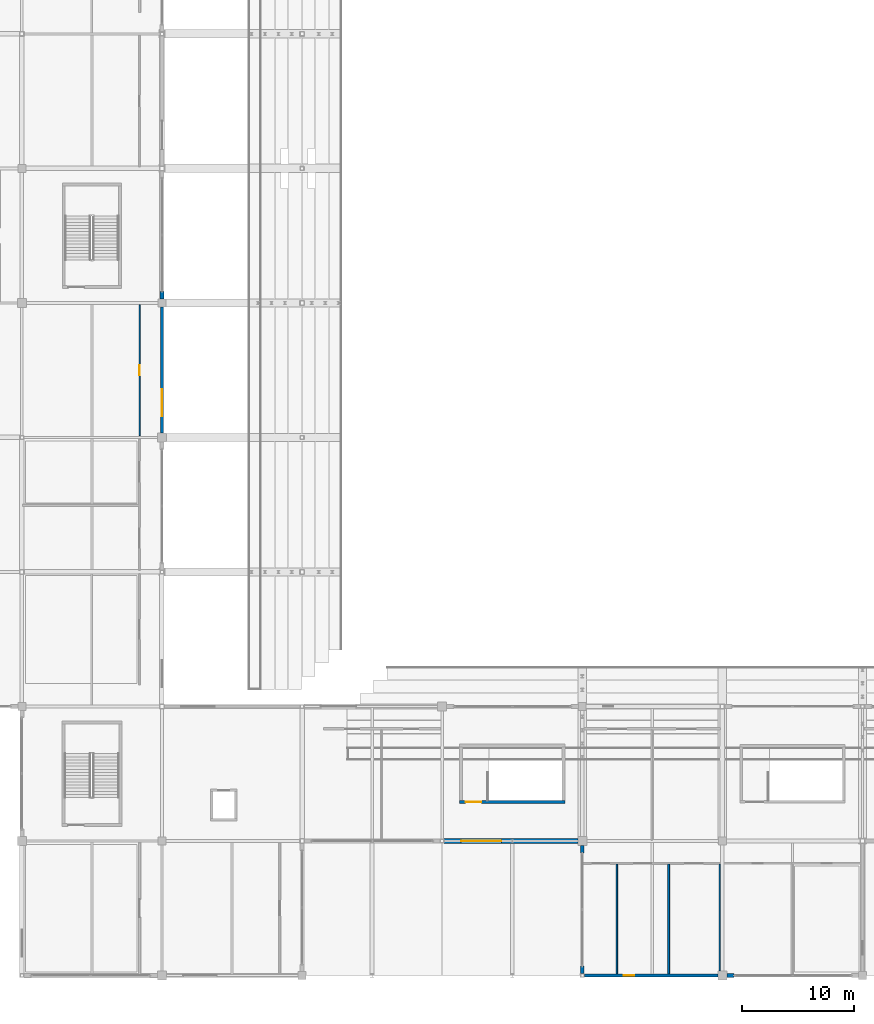
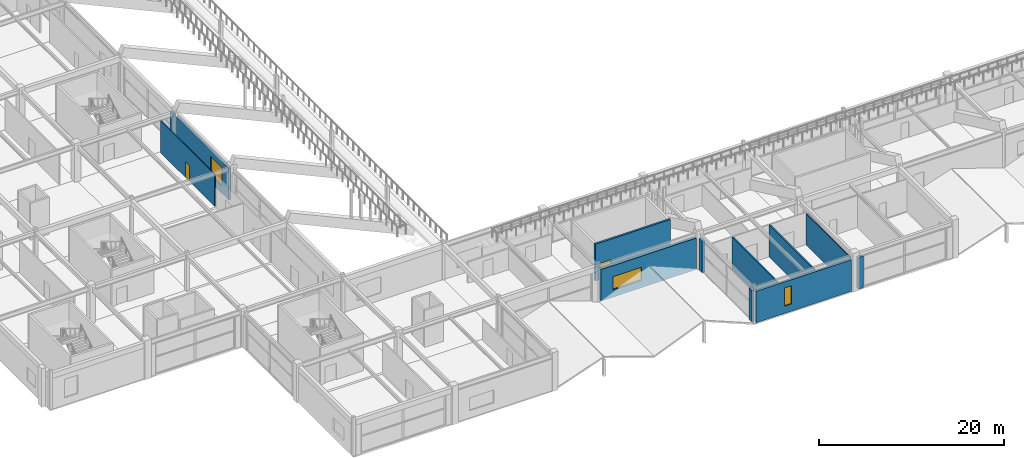
# One storey, part 86 of 128: 12 walls, 3 windows, 2 doors, 5 openings.
"""IFC4 building model written with IfcOpenShell, lengths in metres."""

import ifcopenshell
import ifcopenshell.guid

model = None  # the IFC model being written
_history = None  # IfcOwnerHistory: only IFC2X3 demands one
_inside = {}  # id of a spatial element -> (the spatial element, [elements in it])
_under = {}  # id of a project, library or spatial element -> (it, [spatial elements below it])
_declared = {}  # id of a project -> (the project, [libraries it declares])
_typed = {}  # id of a type object -> (the type object, [elements of that type])
_made_of = {}  # id of a material, layer set ... -> (it, [elements and type objects made of it])


def new_model(schema):
    """Start an empty IFC model of exactly this schema.

    Asked for "IFC4X3", IfcOpenShell would pick the latest addendum, in which some entities
    have other attributes; the version numbers below select the first issue.
    IFC2X3 requires an IfcOwnerHistory on every rooted entity: one is made here for all.
    """
    global model, _history
    if schema == "IFC4X3":
        model = ifcopenshell.file(schema_version=(4, 3, 0, 0))
    else:
        model = ifcopenshell.file(schema=schema)
    _inside.clear()
    _under.clear()
    _declared.clear()
    _typed.clear()
    _made_of.clear()
    _history = None
    if model.schema == "IFC2X3":
        org = make("IfcOrganization", Name="unknown")
        user = make(
            "IfcPersonAndOrganization",
            ThePerson=make("IfcPerson", FamilyName="unknown"),
            TheOrganization=org,
        )
        app = make(
            "IfcApplication",
            ApplicationDeveloper=org,
            Version="unknown",
            ApplicationFullName="unknown",
            ApplicationIdentifier="unknown",
        )
        _history = make(
            "IfcOwnerHistory",
            OwningUser=user,
            OwningApplication=app,
            ChangeAction="ADDED",
            CreationDate=0,
        )
    return model


def make(cls, **values):
    """One entity of the class cls with the attributes given. An attribute that is None is left unset."""
    return model.create_entity(
        cls, **{name: value for name, value in values.items() if value is not None}
    )


def rooted(cls, **values):
    """An entity with a GlobalId (a new one), such as an element, a storey or a relation."""
    return make(cls, GlobalId=ifcopenshell.guid.new(), OwnerHistory=_history, **values)


def si_unit(unit_type, name, prefix=None):
    """IfcSIUnit, for example si_unit("LENGTHUNIT", "METRE", prefix="MILLI")."""
    return make("IfcSIUnit", UnitType=unit_type, Prefix=prefix, Name=name)


def assignment(units):
    """IfcUnitAssignment: the units of a project."""
    return None if units is None else make("IfcUnitAssignment", Units=units)


def point(xyz):
    """IfcCartesianPoint."""
    return None if xyz is None else make("IfcCartesianPoint", Coordinates=xyz)


def direction(xyz):
    """IfcDirection."""
    return None if xyz is None else make("IfcDirection", DirectionRatios=xyz)


def frame(location, z_axis=None, x_axis=None):
    """IfcAxis2Placement3D, a coordinate frame: its origin and axes. An axis left out is left unset."""
    return make(
        "IfcAxis2Placement3D",
        Location=point(location),
        Axis=direction(z_axis),
        RefDirection=direction(x_axis),
    )


def frame_2d(location, x_axis=None):
    """IfcAxis2Placement2D, a coordinate frame in the plane: its origin and x axis."""
    return make(
        "IfcAxis2Placement2D", Location=point(location), RefDirection=direction(x_axis)
    )


def origin():
    """The frame at (0, 0, 0) with its axes left unset."""
    return frame((0.0, 0.0, 0.0))


def place(relative_to, where):
    """IfcLocalPlacement: puts the frame where relative to a parent placement (None: the world)."""
    return make(
        "IfcLocalPlacement", PlacementRelTo=relative_to, RelativePlacement=where
    )


def context(
    kind, dimensions, precision=None, world=None, true_north=None, identifier=None
):
    """IfcGeometricRepresentationContext, for example the 3D "Model" context."""
    return make(
        "IfcGeometricRepresentationContext",
        ContextIdentifier=identifier,
        ContextType=kind,
        CoordinateSpaceDimension=dimensions,
        Precision=precision,
        WorldCoordinateSystem=world,
        TrueNorth=true_north,
    )


def subcontext(parent, identifier, kind, view, scale=None):
    """IfcGeometricRepresentationSubContext, for example "Body" below "Model"."""
    return make(
        "IfcGeometricRepresentationSubContext",
        ContextIdentifier=identifier,
        ContextType=kind,
        ParentContext=parent,
        TargetScale=scale,
        TargetView=view,
    )


def project(units=None, contexts=None):
    """IfcProject with its units and contexts."""
    return rooted(
        "IfcProject",
        Name="project",
        RepresentationContexts=contexts,
        UnitsInContext=assignment(units),
    )


def spatial(cls, under=None, at=None, **own):
    """A site, building, storey or space (cls), placed at a placement, below another one or the project."""
    s = rooted(cls, ObjectPlacement=at, **own)
    if under is not None:
        _under.setdefault(under.id(), (under, []))[1].append(s)
    return s


def profile(cls, at=None, kind="AREA", **sizes):
    """A parametric profile (cls). Its sizes go by their IFC names, for example OverallWidth=200.0."""
    return make(cls, ProfileType=kind, Position=at, **sizes)


def rectangle(**sizes):
    """IfcRectangleProfileDef."""
    return profile("IfcRectangleProfileDef", **sizes)


def extrude(swept, where, along, depth):
    """IfcExtrudedAreaSolid: the profile swept, set in the frame where, extruded along a direction by depth."""
    return make(
        "IfcExtrudedAreaSolid",
        SweptArea=swept,
        Position=where,
        ExtrudedDirection=direction(along),
        Depth=depth,
    )


def shape(context_of_items, identifier, shape_type, items):
    """IfcShapeRepresentation: the items that make up one representation, for example the "Body"."""
    return make(
        "IfcShapeRepresentation",
        ContextOfItems=context_of_items,
        RepresentationIdentifier=identifier,
        RepresentationType=shape_type,
        Items=items,
    )


def material(Name=None, Category=None):
    """IfcMaterial."""
    return make("IfcMaterial", Name=Name, Category=Category)


def layer(
    of_material, thickness, ventilated=None, Name=None, Category=None, Priority=None
):
    """IfcMaterialLayer: one layer of a wall or slab, of a material (None: an air gap)."""
    return make(
        "IfcMaterialLayer",
        Material=of_material,
        LayerThickness=thickness,
        IsVentilated=ventilated,
        Name=Name,
        Category=Category,
        Priority=Priority,
    )


def layer_set(layers, Name=None):
    """IfcMaterialLayerSet."""
    return make("IfcMaterialLayerSet", MaterialLayers=layers, LayerSetName=Name)


def made_of(thing, what):
    """Note that an element or type object is made of a material, layer set ...; save() writes the relation."""
    if what is not None:
        _made_of.setdefault(what.id(), (what, []))[1].append(thing)
    return thing


def type_object(cls, material=None, **own):
    """A type object (cls), such as IfcWallType, which elements share."""
    return made_of(rooted(cls, **own), material)


def element(
    cls,
    number,
    at=None,
    inside=None,
    cuts=None,
    type_object=None,
    material=None,
    context=None,
    identifier="Body",
    shape_type=None,
    held_by="IfcProductDefinitionShape",
    body=None,
    shapes=None,
    **own,
):
    """One element of the class cls, such as IfcWall. Its Tag is "e" and its number.

    at: its placement. inside: the storey or other place that contains it. cuts: it is an
    opening in that element (IfcRelVoidsElement). A single representation is given by context,
    identifier, shape_type and body (its items); several are given by shapes. held_by: the class
    of the entity that holds the representations. save() writes the other relations.
    """
    e = rooted(cls, Tag="e%d" % number, ObjectPlacement=at, **own)
    if body is not None:
        shapes = [shape(context, identifier, shape_type, body)]
    if shapes is not None:
        e.Representation = make(held_by, Representations=shapes)
    if inside is not None:
        _inside.setdefault(inside.id(), (inside, []))[1].append(e)
    if cuts is not None:
        rooted(
            "IfcRelVoidsElement", RelatingBuildingElement=cuts, RelatedOpeningElement=e
        )
    if type_object is not None:
        _typed.setdefault(type_object.id(), (type_object, []))[1].append(e)
    return made_of(e, material)


def fill(opening, filler):
    """IfcRelFillsElement: the door or window that sits in an opening."""
    return rooted(
        "IfcRelFillsElement",
        RelatingOpeningElement=opening,
        RelatedBuildingElement=filler,
    )


def aggregate(whole, parts):
    """IfcRelAggregates: a whole, such as a stair, and the parts it consists of."""
    return rooted("IfcRelAggregates", RelatingObject=whole, RelatedObjects=parts)


def save(model, path):
    """Write the relations noted so far, then the file.

    IfcRelAggregates (storeys below a building ...), IfcRelContainedInSpatialStructure (elements
    in a storey), IfcRelDefinesByType, IfcRelAssociatesMaterial and IfcRelDeclares: one each for
    every whole, place, type object, material and project.
    """
    for whole, parts in _under.values():
        aggregate(whole, parts)
    for where, things in _inside.values():
        rooted(
            "IfcRelContainedInSpatialStructure",
            RelatedElements=things,
            RelatingStructure=where,
        )
    for kind, things in _typed.values():
        rooted("IfcRelDefinesByType", RelatedObjects=things, RelatingType=kind)
    for what, things in _made_of.values():
        rooted("IfcRelAssociatesMaterial", RelatedObjects=things, RelatingMaterial=what)
    for by, libraries in _declared.values():
        rooted("IfcRelDeclares", RelatingContext=by, RelatedDefinitions=libraries)
    model.write(path)


model = new_model("IFC4")

# Units and contexts
model_context = context("Model", 3, precision=1e-05, world=origin(), true_north=direction((0.0, 1.0)))
body_context = subcontext(model_context, "Body", "Model", "MODEL_VIEW")
ifc_project = project(units=[si_unit("LENGTHUNIT", "METRE"), si_unit("AREAUNIT", "SQUARE_METRE"), si_unit("VOLUMEUNIT", "CUBIC_METRE"), si_unit("PLANEANGLEUNIT", "RADIAN"), si_unit("MASSUNIT", "GRAM", prefix="KILO")], contexts=[model_context])

# Site, building, storey
site_placement = place(None, origin())
site = spatial("IfcSite", under=ifc_project, at=site_placement, CompositionType="ELEMENT")
building_placement = place(site_placement, origin())
building = spatial("IfcBuilding", under=site, at=building_placement, Name="Kazenohara Klinker Stadium", CompositionType="ELEMENT")
storey_placement = place(building_placement, frame((0.0, 0.0, 15.300048828125)))
storey = spatial("IfcBuildingStorey", under=building, at=storey_placement, Name="L03", CompositionType="ELEMENT", Elevation=15.300048828125)

# Wall, opening, door
ifc_material_1 = material(Name="Concrete C40/50", Category="concrete")
ifc_layer_1 = layer(ifc_material_1, 0.25)
ifc_layer_set_1 = layer_set([ifc_layer_1], Name="Concrete C40/50")
wall_type_1 = type_object("IfcWallType", Name="WAL-CORE-250", PredefinedType="SHEAR", material=ifc_layer_set_1)
wall_1_placement = place(storey_placement, frame((63.050048828125, 27.485107421875, 0.0), z_axis=(0.0, 0.0, 1.0), x_axis=(1.0, 0.0, 0.0)))
wall_1 = element("IfcWall", 1, at=wall_1_placement, inside=storey, type_object=wall_type_1, Name="Stairwell shear wall ST25 L03 South", PredefinedType="SHEAR", context=body_context, shape_type="SweptSolid", body=[
    extrude(rectangle(XDim=9.39990234375, YDim=0.25, at=frame_2d((4.699951171875, 0.0))), origin(), (0.0, 0.0, 1.0), 4.85986328125),
])
opening_1_placement = place(wall_1_placement, frame((0.550048828125, 0.0, 0.0)))
opening_1 = element("IfcOpeningElement", 2, at=opening_1_placement, cuts=wall_1, Name="Opening SD01", PredefinedType="OPENING", context=body_context, shape_type="SweptSolid", body=[
    extrude(rectangle(XDim=1.39990234375, YDim=2.14990234375, at=frame_2d((0.699951171875, 1.074951171875))), frame((0.0, 0.135009765625, 0.0), z_axis=(0.0, -1.0, 0.0), x_axis=(1.0, 0.0, 0.0)), (0.0, 0.0, 1.0), 0.27001953125),
])
ifc_material_2 = material(Name="Flush painted steel fire door leaf", Category="steel")
door_type_1 = type_object("IfcDoorType", Name="DR-STR-1400x2150", OperationType="NOTDEFINED", PredefinedType="DOOR", material=ifc_material_2)
door_1_placement = place(opening_1_placement, origin())
door_1 = element("IfcDoor", 3, at=door_1_placement, inside=storey, type_object=door_type_1, Name="Escape stairwell fire door ST25-L03", OperationType="SINGLE_SWING_RIGHT", OverallHeight=2.14990234375, OverallWidth=1.39990234375, PredefinedType="DOOR", context=body_context, shape_type="SweptSolid", body=[
    extrude(rectangle(XDim=1.39990234375, YDim=2.14990234375, at=frame_2d((0.699951171875, 1.074951171875))), frame((0.0, 0.02490234375, 0.0), z_axis=(0.0, -1.0, 0.0), x_axis=(1.0, 0.0, 0.0)), (0.0, 0.0, 1.0), 0.050048828125),
])
fill(opening_1, door_1)

# Wall, opening, window
ifc_material_3 = material(Name="Clinker brick masonry", Category="masonry")
ifc_layer_2 = layer(ifc_material_3, 0.280029296875)
ifc_layer_set_2 = layer_set([ifc_layer_2], Name="Clinker brick masonry")
wall_type_2 = type_object("IfcWallType", Name="WAL-EXT-CB280", PredefinedType="SOLIDWALL", material=ifc_layer_set_2)
wall_2_placement = place(storey_placement, frame((36.5, 60.404052734375, 0.0), z_axis=(0.0, 0.0, 1.0), x_axis=(0.0, 1.0, 0.0)))
wall_2 = element("IfcWall", 4, at=wall_2_placement, inside=storey, type_object=wall_type_2, Name="Clinker brick cavity wall EW06 L03 Y3-5", PredefinedType="SOLIDWALL", context=body_context, shape_type="SweptSolid", body=[
    extrude(rectangle(XDim=11.241943359375, YDim=0.280029296875, at=frame_2d((5.62109375, 0.0))), origin(), (0.0, 0.0, 1.0), 4.171875),
])
opening_2_placement = place(wall_2_placement, frame((1.5, 0.0, 0.949951171875)))
opening_2 = element("IfcOpeningElement", 5, at=opening_2_placement, cuts=wall_2, Name="Opening W25", PredefinedType="OPENING", context=body_context, shape_type="SweptSolid", body=[
    extrude(rectangle(XDim=2.39990234375, YDim=2.449951171875, at=frame_2d((1.199951171875, 1.22509765625))), frame((0.0, 0.14990234375, 0.0), z_axis=(0.0, -1.0, 0.0), x_axis=(1.0, 0.0, 0.0)), (0.0, 0.0, 1.0), 0.300048828125),
])
ifc_material_4 = material(Name="Dark bronze aluminium frame and triple glazing", Category="aluminium")
window_type_1 = type_object("IfcWindowType", Name="WIN-AS-25", PartitioningType="SINGLE_PANEL", PredefinedType="WINDOW", material=ifc_material_4)
window_1_placement = place(opening_2_placement, origin())
window_1 = element("IfcWindow", 6, at=window_1_placement, inside=storey, type_object=window_type_1, Name="Horizontal-mullion ladder window W25 L03 Y3-5", OverallHeight=2.449951171875, OverallWidth=2.39990234375, PartitioningType="SINGLE_PANEL", PredefinedType="WINDOW", context=body_context, shape_type="SweptSolid", body=[
    extrude(rectangle(XDim=2.39990234375, YDim=2.449951171875, at=frame_2d((1.199951171875, 1.22509765625))), frame((0.0, 0.030029296875, 0.0), z_axis=(0.0, -1.0, 0.0), x_axis=(1.0, 0.0, 0.0)), (0.0, 0.0, 1.0), 0.06005859375),
])
fill(opening_2, window_1)

wall_3_placement = place(storey_placement, frame((74.178955078125, 12.0, 0.0), z_axis=(0.0, 0.0, 1.0), x_axis=(1.0, 0.0, 0.0)))
wall_3 = element("IfcWall", 7, at=wall_3_placement, inside=storey, type_object=wall_type_2, Name="Clinker brick cavity wall EW06 L03 X6-1", PredefinedType="SOLIDWALL", context=body_context, shape_type="SweptSolid", body=[
    extrude(rectangle(XDim=11.9169921875, YDim=0.280029296875, at=frame_2d((5.95849609375, 0.0))), origin(), (0.0, 0.0, 1.0), 4.159912109375),
])
opening_3_placement = place(wall_3_placement, frame((3.533203125, 0.0, 0.949951171875)))
opening_3 = element("IfcOpeningElement", 8, at=opening_3_placement, cuts=wall_3, Name="Opening W02", PredefinedType="OPENING", context=body_context, shape_type="SweptSolid", body=[
    extrude(rectangle(XDim=0.89990234375, YDim=2.39990234375, at=frame_2d((0.449951171875, 1.199951171875))), frame((0.0, 0.14990234375, 0.0), z_axis=(0.0, -1.0, 0.0), x_axis=(1.0, 0.0, 0.0)), (0.0, 0.0, 1.0), 0.300048828125),
])
window_type_2 = type_object("IfcWindowType", Name="WIN-AS-02", PartitioningType="SINGLE_PANEL", PredefinedType="WINDOW", material=ifc_material_4)
window_2_placement = place(opening_3_placement, origin())
window_2 = element("IfcWindow", 9, at=window_2_placement, inside=storey, type_object=window_type_2, Name="Horizontal-mullion ladder window W02 L03 X6-1", OverallHeight=2.39990234375, OverallWidth=0.89990234375, PartitioningType="SINGLE_PANEL", PredefinedType="WINDOW", context=body_context, shape_type="SweptSolid", body=[
    extrude(rectangle(XDim=0.89990234375, YDim=2.39990234375, at=frame_2d((0.449951171875, 1.199951171875))), frame((0.0, 0.030029296875, 0.0), z_axis=(0.0, -1.0, 0.0), x_axis=(1.0, 0.0, 0.0)), (0.0, 0.0, 1.0), 0.06005859375),
])
fill(opening_3, window_2)

# Walls
ifc_layer_3 = layer(ifc_material_3, 0.340087890625)
ifc_layer_set_3 = layer_set([ifc_layer_3], Name="Clinker brick masonry")
wall_type_3 = type_object("IfcWallType", Name="WAL-EXT-CB340", PredefinedType="SOLIDWALL", material=ifc_layer_set_3)
wall_4_placement = place(storey_placement, frame((36.5, 72.35400390625, 0.0), z_axis=(0.0, 0.0, 1.0), x_axis=(0.0, 1.0, 0.0)))
element("IfcWall", 10, at=wall_4_placement, inside=storey, type_object=wall_type_3, Name="Clinker brick curtain-wall jamb pier L03 Y3-6 A", PredefinedType="SOLIDWALL", context=body_context, shape_type="SweptSolid", body=[
    extrude(rectangle(XDim=0.64990234375, YDim=0.340087890625, at=frame_2d((0.324951171875, 0.0))), origin(), (0.0, 0.0, 1.0), 4.06005859375),
])
wall_5_placement = place(storey_placement, frame((74.0, 12.178955078125, 0.0), z_axis=(0.0, 0.0, 1.0), x_axis=(0.0, 1.0, 0.0)))
element("IfcWall", 11, at=wall_5_placement, inside=storey, type_object=wall_type_3, Name="Clinker brick curtain-wall jamb pier L03 Y6-1 A", PredefinedType="SOLIDWALL", context=body_context, shape_type="SweptSolid", body=[
    extrude(rectangle(XDim=0.650146484375, YDim=0.340087890625, at=frame_2d((0.3251953125, 0.0))), origin(), (0.0, 0.0, 1.0), 4.159912109375),
])
wall_6_placement = place(storey_placement, frame((74.0, 22.946044921875, 0.0), z_axis=(0.0, 0.0, 1.0), x_axis=(0.0, 1.0, 0.0)))
element("IfcWall", 12, at=wall_6_placement, inside=storey, type_object=wall_type_3, Name="Clinker brick curtain-wall jamb pier L03 Y6-1 B", PredefinedType="SOLIDWALL", context=body_context, shape_type="SweptSolid", body=[
    extrude(rectangle(XDim=0.64990234375, YDim=0.340087890625, at=frame_2d((0.324951171875, 0.0))), origin(), (0.0, 0.0, 1.0), 4.159912109375),
])
wall_7_placement = place(storey_placement, frame((86.904052734375, 12.0, 0.0), z_axis=(0.0, 0.0, 1.0), x_axis=(1.0, 0.0, 0.0)))
element("IfcWall", 13, at=wall_7_placement, inside=storey, type_object=wall_type_3, Name="Clinker brick curtain-wall jamb pier L03 X7-1 A", PredefinedType="SOLIDWALL", context=body_context, shape_type="SweptSolid", body=[
    extrude(rectangle(XDim=0.64990234375, YDim=0.340087890625, at=frame_2d((0.324951171875, 0.0))), origin(), (0.0, 0.0, 1.0), 4.171875),
])

# Wall, opening, window
ifc_layer_4 = layer(ifc_material_3, 0.409912109375)
ifc_layer_set_4 = layer_set([ifc_layer_4], Name="Clinker brick masonry")
wall_type_4 = type_object("IfcWallType", Name="WAL-EXT-CB410", PredefinedType="SOLIDWALL", material=ifc_layer_set_4)
wall_8_placement = place(storey_placement, frame((61.678955078125, 24.0, 0.0), z_axis=(0.0, 0.0, 1.0), x_axis=(1.0, 0.0, 0.0)))
wall_8 = element("IfcWall", 14, at=wall_8_placement, inside=storey, type_object=wall_type_4, Name="Clinker brick cavity wall EW02 L03 X5-2", PredefinedType="SOLIDWALL", context=body_context, shape_type="SweptSolid", body=[
    extrude(rectangle(XDim=11.9169921875, YDim=0.409912109375, at=frame_2d((5.95849609375, 0.0))), origin(), (0.0, 0.0, 1.0), 4.159912109375),
])
opening_4_placement = place(wall_8_placement, frame((1.5, 0.0, 0.949951171875)))
opening_4 = element("IfcOpeningElement", 15, at=opening_4_placement, cuts=wall_8, Name="Opening W35", PredefinedType="OPENING", context=body_context, shape_type="SweptSolid", body=[
    extrude(rectangle(XDim=3.60009765625, YDim=1.75, at=frame_2d((1.800048828125, 0.875))), frame((0.0, 0.21484375, 0.0), z_axis=(0.0, -1.0, 0.0), x_axis=(1.0, 0.0, 0.0)), (0.0, 0.0, 1.0), 0.429931640625),
])
window_type_3 = type_object("IfcWindowType", Name="WIN-AS-35", PartitioningType="SINGLE_PANEL", PredefinedType="WINDOW", material=ifc_material_4)
window_3_placement = place(opening_4_placement, origin())
window_3 = element("IfcWindow", 16, at=window_3_placement, inside=storey, type_object=window_type_3, Name="Horizontal-mullion ladder window W35 L03 X5-2", OverallHeight=1.75, OverallWidth=3.60009765625, PartitioningType="SINGLE_PANEL", PredefinedType="WINDOW", context=body_context, shape_type="SweptSolid", body=[
    extrude(rectangle(XDim=3.60009765625, YDim=1.75, at=frame_2d((1.800048828125, 0.875))), frame((0.0, 0.030029296875, 0.0), z_axis=(0.0, -1.0, 0.0), x_axis=(1.0, 0.0, 0.0)), (0.0, 0.0, 1.0), 0.06005859375),
])
fill(opening_4, window_3)

# Wall, opening, door
ifc_material_5 = material(Name="Fire-rated gypsum board on acoustic studs", Category="gypsum")
ifc_layer_5 = layer(ifc_material_5, 0.110107421875)
ifc_layer_set_5 = layer_set([ifc_layer_5], Name="Fire-rated gypsum board on acoustic studs")
wall_type_5 = type_object("IfcWallType", Name="WAL-INT-P110", PredefinedType="PARTITIONING", material=ifc_layer_set_5)
wall_9_placement = place(storey_placement, frame((34.510009765625, 60.159912109375, 0.0), z_axis=(0.0, 0.0, 1.0), x_axis=(0.0, 1.0, 0.0)))
wall_9 = element("IfcWall", 17, at=wall_9_placement, inside=storey, type_object=wall_type_5, Name="Interior partition wall PT01 SPC-L03-02-05-1-1", PredefinedType="PARTITIONING", context=body_context, shape_type="SweptSolid", body=[
    extrude(rectangle(XDim=11.68017578125, YDim=0.110107421875, at=frame_2d((5.840087890625, 0.0))), origin(), (0.0, 0.0, 1.0), 4.219970703125),
])
opening_5_placement = place(wall_9_placement, frame((5.389892578125, 0.0, 0.0)))
opening_5 = element("IfcOpeningElement", 18, at=opening_5_placement, cuts=wall_9, Name="Opening ID01", PredefinedType="OPENING", context=body_context, shape_type="SweptSolid", body=[
    extrude(rectangle(XDim=0.89990234375, YDim=2.06005859375, at=frame_2d((0.449951171875, 1.030029296875))), frame((0.0, 0.06494140625, 0.0), z_axis=(0.0, -1.0, 0.0), x_axis=(1.0, 0.0, 0.0)), (0.0, 0.0, 1.0), 0.130126953125),
])
ifc_material_6 = material(Name="Solid-core Hokkaido oak fire door", Category="wood")
door_type_2 = type_object("IfcDoorType", Name="DR-INT-01", OperationType="NOTDEFINED", PredefinedType="DOOR", material=ifc_material_6)
door_2_placement = place(opening_5_placement, origin())
door_2 = element("IfcDoor", 19, at=door_2_placement, inside=storey, type_object=door_type_2, Name="Interior door ID01 Supporter Tifo Workshop Studio L03-0205A", OperationType="SINGLE_SWING_RIGHT", OverallHeight=2.06005859375, OverallWidth=0.89990234375, PredefinedType="DOOR", context=body_context, shape_type="SweptSolid", body=[
    extrude(rectangle(XDim=0.89990234375, YDim=2.06005859375, at=frame_2d((0.449951171875, 1.030029296875))), frame((0.0, 0.02490234375, 0.0), z_axis=(0.0, -1.0, 0.0), x_axis=(1.0, 0.0, 0.0)), (0.0, 0.0, 1.0), 0.050048828125),
])
fill(opening_5, door_2)

# Walls
ifc_layer_6 = layer(ifc_material_5, 0.1201171875)
ifc_layer_set_6 = layer_set([ifc_layer_6], Name="Fire-rated gypsum board on acoustic studs")
wall_type_6 = type_object("IfcWallType", Name="WAL-INT-P120", PredefinedType="PARTITIONING", material=ifc_layer_set_6)
wall_10_placement = place(storey_placement, frame((86.260009765625, 12.404052734375, 0.0), z_axis=(0.0, 0.0, 1.0), x_axis=(0.0, 1.0, 0.0)))
element("IfcWall", 20, at=wall_10_placement, inside=storey, type_object=wall_type_6, Name="Interior partition wall PT02 SPC-L03-06-01-1-1", PredefinedType="PARTITIONING", context=body_context, shape_type="SweptSolid", body=[
    extrude(rectangle(XDim=9.531005859375, YDim=0.1201171875, at=frame_2d((4.765625, 0.0))), origin(), (0.0, 0.0, 1.0), 4.1318359375),
])
ifc_layer_7 = layer(ifc_material_5, 0.14990234375)
ifc_layer_set_7 = layer_set([ifc_layer_7], Name="Fire-rated gypsum board on acoustic studs")
wall_type_7 = type_object("IfcWallType", Name="WAL-INT-P150", PredefinedType="PARTITIONING", material=ifc_layer_set_7)
wall_11_placement = place(storey_placement, frame((77.082275390625, 12.14208984375, 0.0), z_axis=(0.0, 0.0, 1.0), x_axis=(0.0, 1.0, 0.0)))
element("IfcWall", 21, at=wall_11_placement, inside=storey, type_object=wall_type_7, Name="Interior partition wall PT04 SPC-L03-06-01-1-3", PredefinedType="PARTITIONING", context=body_context, shape_type="SweptSolid", body=[
    extrude(rectangle(XDim=9.79296875, YDim=0.14990234375, at=frame_2d((4.896484375, 0.0))), origin(), (0.0, 0.0, 1.0), 4.219970703125),
])
ifc_layer_8 = layer(ifc_material_5, 0.169921875)
ifc_layer_set_8 = layer_set([ifc_layer_8], Name="Fire-rated gypsum board on acoustic studs")
wall_type_8 = type_object("IfcWallType", Name="WAL-INT-P170", PredefinedType="PARTITIONING", material=ifc_layer_set_8)
wall_12_placement = place(storey_placement, frame((81.701171875, 12.14208984375, 0.0), z_axis=(0.0, 0.0, 1.0), x_axis=(0.0, 1.0, 0.0)))
element("IfcWall", 22, at=wall_12_placement, inside=storey, type_object=wall_type_8, Name="Interior partition wall PT05 SPC-L03-06-01-1-4", PredefinedType="PARTITIONING", context=body_context, shape_type="SweptSolid", body=[
    extrude(rectangle(XDim=9.79296875, YDim=0.169921875, at=frame_2d((4.896484375, 0.0))), origin(), (0.0, 0.0, 1.0), 4.219970703125),
])

save(model, "model.ifc")
